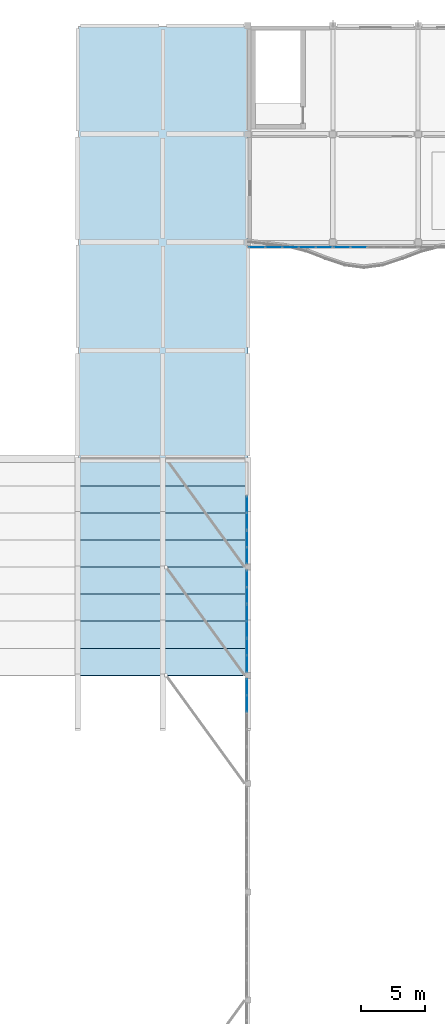
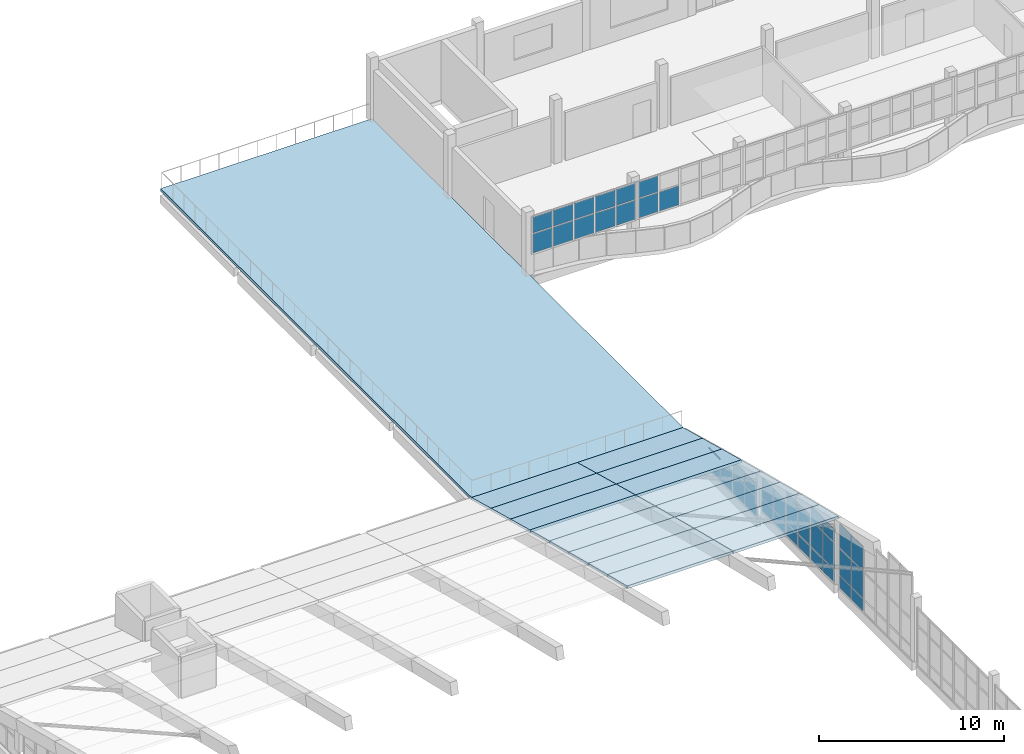
# One storey, part 45 of 78: 43 plates, 17 slabs, 8 elements without a shape of their own.
"""IFC4 building model written with IfcOpenShell, lengths in metres."""

from ifc_helpers import new_model, si_unit, direction, frame, origin, origin_2d, place, context, subcontext, project, spatial, polyline, rectangle, outline, extrude, material, layer, layer_set, type_object, element, aggregate, save


model = new_model("IFC4")

# Units and contexts
model_context = context("Model", 3, precision=1e-05, world=origin(), true_north=direction((0.0, 1.0)))
body_context = subcontext(model_context, "Body", "Model", "MODEL_VIEW")
ifc_project = project(units=[si_unit("LENGTHUNIT", "METRE"), si_unit("AREAUNIT", "SQUARE_METRE"), si_unit("VOLUMEUNIT", "CUBIC_METRE"), si_unit("PLANEANGLEUNIT", "RADIAN"), si_unit("MASSUNIT", "GRAM", prefix="KILO")], contexts=[model_context])

# Site, building, storey
site_placement = place(None, origin())
site = spatial("IfcSite", under=ifc_project, at=site_placement, CompositionType="ELEMENT")
building_placement = place(site_placement, origin())
building = spatial("IfcBuilding", under=site, at=building_placement, Name="Qaldarim Faculty of Natural and Applied Sciences", CompositionType="ELEMENT")
storey_placement = place(building_placement, frame((0.0, 0.0, 18.60009765625)))
storey = spatial("IfcBuildingStorey", under=building, at=storey_placement, Name="L04", CompositionType="ELEMENT", Elevation=18.60009765625)

# Curtain wall, plates
ifc_material_1 = material(Name="Anodised aluminium AW-6063", Category="aluminium")
curtain_wall_type_1 = type_object("IfcCurtainWallType", Name="CurtainWallSystem-M1500", PredefinedType="USERDEFINED", material=ifc_material_1)
curtain_wall_1_placement = place(storey_placement, origin())
curtain_wall_1 = element("IfcCurtainWall", 1, at=curtain_wall_1_placement, inside=storey, type_object=curtain_wall_type_1, Name="Curtain wall CW-GABLE-L04-E-Y10-1", ObjectType="STICK CURTAIN WALL", PredefinedType="USERDEFINED")
ifc_material_2 = material(Name="Champagne anodised aluminium AW-6063", Category="aluminium")
ifc_layer_1 = layer(ifc_material_2, 0.0400390625)
ifc_layer_set_1 = layer_set([ifc_layer_1], Name="Champagne anodised aluminium AW-6063")
plate_type_1 = type_object("IfcPlateType", Name="InsulatedSpandrelPanel-40", PredefinedType="CURTAIN_PANEL", material=ifc_layer_set_1)
plate_1_placement = place(storey_placement, frame((46.1201171875, 76.503662109375, -0.919921875), z_axis=(0.0, 0.0, 1.0), x_axis=(0.0, 1.0, 0.0)))
plate_1 = element("IfcPlate", 2, at=plate_1_placement, type_object=plate_type_1, Name="Glazed panel 1-1 of CW-GABLE-L04-E-Y10-1", PredefinedType="CURTAIN_PANEL", context=body_context, shape_type="SweptSolid", body=[
    extrude(rectangle(XDim=1.2275390625, YDim=0.0400390625, at=origin_2d()), origin(), (0.0, 0.0, 1.0), 1.260009765625),
])
plate_2_placement = place(storey_placement, frame((46.1201171875, 76.503662109375, 0.39990234375), z_axis=(0.0, 0.0, 1.0), x_axis=(0.0, 1.0, 0.0)))
plate_2 = element("IfcPlate", 3, at=plate_2_placement, type_object=plate_type_1, Name="Glazed panel 1-2 of CW-GABLE-L04-E-Y10-1", PredefinedType="CURTAIN_PANEL", context=body_context, shape_type="SweptSolid", body=[
    extrude(rectangle(XDim=1.2275390625, YDim=0.0400390625, at=origin_2d()), origin(), (0.0, 0.0, 1.0), 0.804931640625),
])
plate_3_placement = place(storey_placement, frame((46.1201171875, 77.791259765625, -0.919921875), z_axis=(0.0, 0.0, 1.0), x_axis=(0.0, 1.0, 0.0)))
plate_3 = element("IfcPlate", 4, at=plate_3_placement, type_object=plate_type_1, Name="Glazed panel 2-1 of CW-GABLE-L04-E-Y10-1", PredefinedType="CURTAIN_PANEL", context=body_context, shape_type="SweptSolid", body=[
    extrude(rectangle(XDim=1.2275390625, YDim=0.0400390625, at=origin_2d()), origin(), (0.0, 0.0, 1.0), 1.260009765625),
])
plate_4_placement = place(storey_placement, frame((46.1201171875, 77.791259765625, 0.39990234375), z_axis=(0.0, 0.0, 1.0), x_axis=(0.0, 1.0, 0.0)))
plate_4 = element("IfcPlate", 5, at=plate_4_placement, type_object=plate_type_1, Name="Glazed panel 2-2 of CW-GABLE-L04-E-Y10-1", PredefinedType="CURTAIN_PANEL", context=body_context, shape_type="SweptSolid", body=[
    extrude(rectangle(XDim=1.2275390625, YDim=0.0400390625, at=origin_2d()), origin(), (0.0, 0.0, 1.0), 0.804931640625),
])
aggregate(curtain_wall_1, [plate_1, plate_2, plate_3, plate_4])

curtain_wall_2_placement = place(storey_placement, origin())
curtain_wall_2 = element("IfcCurtainWall", 6, at=curtain_wall_2_placement, inside=storey, type_object=curtain_wall_type_1, Name="Curtain wall CW-GABLE-L04-E-Y10-2", ObjectType="STICK CURTAIN WALL", PredefinedType="USERDEFINED")
plate_5_placement = place(storey_placement, frame((46.1201171875, 79.15869140625, -0.919921875), z_axis=(0.0, 0.0, 1.0), x_axis=(0.0, 1.0, 0.0)))
plate_5 = element("IfcPlate", 7, at=plate_5_placement, type_object=plate_type_1, Name="Glazed panel 1-1 of CW-GABLE-L04-E-Y10-2", PredefinedType="CURTAIN_PANEL", context=body_context, shape_type="SweptSolid", body=[
    extrude(rectangle(XDim=1.2275390625, YDim=0.0400390625, at=origin_2d()), origin(), (0.0, 0.0, 1.0), 1.260009765625),
])
plate_6_placement = place(storey_placement, frame((46.1201171875, 79.15869140625, 0.39990234375), z_axis=(0.0, 0.0, 1.0), x_axis=(0.0, 1.0, 0.0)))
plate_6 = element("IfcPlate", 8, at=plate_6_placement, type_object=plate_type_1, Name="Glazed panel 1-2 of CW-GABLE-L04-E-Y10-2", PredefinedType="CURTAIN_PANEL", context=body_context, shape_type="SweptSolid", body=[
    extrude(rectangle(XDim=1.2275390625, YDim=0.0400390625, at=origin_2d()), origin(), (0.0, 0.0, 1.0), 0.114990234375),
])
plate_7_placement = place(storey_placement, frame((46.1201171875, 80.4462890625, -0.919921875), z_axis=(0.0, 0.0, 1.0), x_axis=(0.0, 1.0, 0.0)))
plate_7 = element("IfcPlate", 9, at=plate_7_placement, type_object=plate_type_1, Name="Glazed panel 2-1 of CW-GABLE-L04-E-Y10-2", PredefinedType="CURTAIN_PANEL", context=body_context, shape_type="SweptSolid", body=[
    extrude(rectangle(XDim=1.2275390625, YDim=0.0400390625, at=origin_2d()), origin(), (0.0, 0.0, 1.0), 1.260009765625),
])
plate_8_placement = place(storey_placement, frame((46.1201171875, 80.4462890625, 0.39990234375), z_axis=(0.0, 0.0, 1.0), x_axis=(0.0, 1.0, 0.0)))
plate_8 = element("IfcPlate", 10, at=plate_8_placement, type_object=plate_type_1, Name="Glazed panel 2-2 of CW-GABLE-L04-E-Y10-2", PredefinedType="CURTAIN_PANEL", context=body_context, shape_type="SweptSolid", body=[
    extrude(rectangle(XDim=1.2275390625, YDim=0.0400390625, at=origin_2d()), origin(), (0.0, 0.0, 1.0), 0.114990234375),
])
aggregate(curtain_wall_2, [plate_5, plate_6, plate_7, plate_8])

# Slabs
ifc_material_3 = material(Name="Concrete C40/50", Category="concrete")
ifc_layer_2 = layer(ifc_material_3, 0.159912109375)
ifc_layer_set_2 = layer_set([ifc_layer_2], Name="Concrete C40/50")
slab_type_1 = type_object("IfcSlabType", Name="PointedArchShellStrip-160", PredefinedType="ROOF", material=ifc_layer_set_2)
slab_1_placement = place(storey_placement, frame((33.0, 67.161865234375, 4.184326171875), z_axis=(0.0, 0.238123063783, 0.971234990357), x_axis=(1.0, 0.0, 0.0)))
element("IfcSlab", 11, at=slab_1_placement, inside=storey, type_object=slab_type_1, Name="Pointed-arch shell strip B06-N09", PredefinedType="ROOF", context=body_context, shape_type="SweptSolid", body=[
    extrude(outline(polyline([(0.0, 0.0), (6.60009765625, 0.0), (6.60009765625, 2.162296125139883), (0.0, 2.162296125139883), (0.0, 0.0)])), origin(), (0.0, 0.0, 1.0), 0.159912109375),
])
slab_2_placement = place(storey_placement, frame((33.0, 69.26123046875, 3.669677734375), z_axis=(0.0, 0.242615241987, 0.970122592436), x_axis=(1.0, 0.0, 0.0)))
element("IfcSlab", 12, at=slab_2_placement, inside=storey, type_object=slab_type_1, Name="Pointed-arch shell strip B06-N10", PredefinedType="ROOF", context=body_context, shape_type="SweptSolid", body=[
    extrude(outline(polyline([(0.0, 0.0), (6.60009765625, 0.0), (6.60009765625, 2.1645238777001503), (0.0, 2.1645238777001503), (0.0, 0.0)])), origin(), (0.0, 0.0, 1.0), 0.159912109375),
])
slab_3_placement = place(storey_placement, frame((33.0, 71.3603515625, 3.144775390625), z_axis=(0.0, 0.246827397745, 0.969059459333), x_axis=(1.0, 0.0, 0.0)))
element("IfcSlab", 13, at=slab_3_placement, inside=storey, type_object=slab_type_1, Name="Pointed-arch shell strip B06-N11", PredefinedType="ROOF", context=body_context, shape_type="SweptSolid", body=[
    extrude(outline(polyline([(0.0, 0.0), (6.60009765625, 0.0), (6.60009765625, 2.167150463291083), (0.0, 2.167150463291083), (0.0, 0.0)])), origin(), (0.0, 0.0, 1.0), 0.159912109375),
])
slab_4_placement = place(storey_placement, frame((33.0, 73.460205078125, 2.60986328125), z_axis=(0.0, 0.249047074443, 0.968491380814), x_axis=(1.0, 0.0, 0.0)))
element("IfcSlab", 14, at=slab_4_placement, inside=storey, type_object=slab_type_1, Name="Pointed-arch shell strip B06-N12", PredefinedType="ROOF", context=body_context, shape_type="SweptSolid", body=[
    extrude(outline(polyline([(0.0, 0.0), (6.60009765625, 0.0), (6.60009765625, 2.168421627546779), (0.0, 2.168421627546779), (0.0, 0.0)])), origin(), (0.0, 0.0, 1.0), 0.159912109375),
])
slab_5_placement = place(storey_placement, frame((33.0, 75.559814453125, 2.070068359375), z_axis=(0.0, 0.251184769049, 0.967939157074), x_axis=(1.0, 0.0, 0.0)))
element("IfcSlab", 15, at=slab_5_placement, inside=storey, type_object=slab_type_1, Name="Pointed-arch shell strip B06-N13", PredefinedType="ROOF", context=body_context, shape_type="SweptSolid", body=[
    extrude(outline(polyline([(0.0, 0.0), (6.60009765625, 0.0), (6.60009765625, 2.169406517215293), (0.0, 2.169406517215293), (0.0, 0.0)])), origin(), (0.0, 0.0, 1.0), 0.159912109375),
])
slab_6_placement = place(storey_placement, frame((33.0, 77.6591796875, 1.525146484375), z_axis=(0.0, 0.255472397462, 0.966816349745), x_axis=(1.0, 0.0, 0.0)))
element("IfcSlab", 16, at=slab_6_placement, inside=storey, type_object=slab_type_1, Name="Pointed-arch shell strip B06-N14", PredefinedType="ROOF", context=body_context, shape_type="SweptSolid", body=[
    extrude(outline(polyline([(0.0, 0.0), (6.60009765625, 0.0), (6.60009765625, 2.1721784667824826), (0.0, 2.1721784667824826), (0.0, 0.0)])), origin(), (0.0, 0.0, 1.0), 0.159912109375),
])
slab_7_placement = place(storey_placement, frame((33.0, 79.7587890625, 0.970458984375), z_axis=(0.0, 0.257704602468, 0.96622375145), x_axis=(1.0, 0.0, 0.0)))
element("IfcSlab", 17, at=slab_7_placement, inside=storey, type_object=slab_type_1, Name="Pointed-arch shell strip B06-N15", PredefinedType="ROOF", context=body_context, shape_type="SweptSolid", body=[
    extrude(outline(polyline([(0.0, 0.0), (6.60009765625, 0.0), (6.60009765625, 2.1732580186245487), (0.0, 2.1732580186245487), (0.0, 0.0)])), origin(), (0.0, 0.0, 1.0), 0.159912109375),
])
slab_8_placement = place(storey_placement, frame((33.0, 81.8583984375, 0.410400390625), z_axis=(0.0, 0.259772172044, 0.96566993255), x_axis=(1.0, 0.0, 0.0)))
element("IfcSlab", 18, at=slab_8_placement, inside=storey, type_object=slab_type_1, Name="Pointed-arch shell strip B06-N16", PredefinedType="ROOF", context=body_context, shape_type="SweptSolid", body=[
    extrude(outline(polyline([(0.0, 0.0), (6.60009765625, 0.0), (6.60009765625, 2.1747572182389625), (0.0, 2.1747572182389625), (0.0, 0.0)])), origin(), (0.0, 0.0, 1.0), 0.159912109375),
])
slab_9_placement = place(storey_placement, frame((39.60009765625, 67.161865234375, 4.184326171875), z_axis=(0.0, 0.238123063783, 0.971234990357), x_axis=(1.0, 0.0, 0.0)))
element("IfcSlab", 19, at=slab_9_placement, inside=storey, type_object=slab_type_1, Name="Pointed-arch shell strip B07-N09", PredefinedType="ROOF", context=body_context, shape_type="SweptSolid", body=[
    extrude(outline(polyline([(0.0, 0.0), (6.599853515625, 0.0), (6.599853515625, 2.162296125139883), (0.0, 2.162296125139883), (0.0, 0.0)])), origin(), (0.0, 0.0, 1.0), 0.159912109375),
])
slab_10_placement = place(storey_placement, frame((39.60009765625, 69.26123046875, 3.669677734375), z_axis=(0.0, 0.242615241987, 0.970122592436), x_axis=(1.0, 0.0, 0.0)))
element("IfcSlab", 20, at=slab_10_placement, inside=storey, type_object=slab_type_1, Name="Pointed-arch shell strip B07-N10", PredefinedType="ROOF", context=body_context, shape_type="SweptSolid", body=[
    extrude(outline(polyline([(0.0, 0.0), (6.599853515625, 0.0), (6.599853515625, 2.1645238777001503), (0.0, 2.1645238777001503), (0.0, 0.0)])), origin(), (0.0, 0.0, 1.0), 0.159912109375),
])
slab_11_placement = place(storey_placement, frame((39.60009765625, 71.3603515625, 3.144775390625), z_axis=(0.0, 0.246827397745, 0.969059459333), x_axis=(1.0, 0.0, 0.0)))
element("IfcSlab", 21, at=slab_11_placement, inside=storey, type_object=slab_type_1, Name="Pointed-arch shell strip B07-N11", PredefinedType="ROOF", context=body_context, shape_type="SweptSolid", body=[
    extrude(outline(polyline([(0.0, 0.0), (6.599853515625, 0.0), (6.599853515625, 2.167150463291083), (0.0, 2.167150463291083), (0.0, 0.0)])), origin(), (0.0, 0.0, 1.0), 0.159912109375),
])
slab_12_placement = place(storey_placement, frame((39.60009765625, 73.460205078125, 2.60986328125), z_axis=(0.0, 0.249047074443, 0.968491380814), x_axis=(1.0, 0.0, 0.0)))
element("IfcSlab", 22, at=slab_12_placement, inside=storey, type_object=slab_type_1, Name="Pointed-arch shell strip B07-N12", PredefinedType="ROOF", context=body_context, shape_type="SweptSolid", body=[
    extrude(outline(polyline([(0.0, 0.0), (6.599853515625, 0.0), (6.599853515625, 2.168421627546779), (0.0, 2.168421627546779), (0.0, 0.0)])), origin(), (0.0, 0.0, 1.0), 0.159912109375),
])
slab_13_placement = place(storey_placement, frame((39.60009765625, 75.559814453125, 2.070068359375), z_axis=(0.0, 0.251184769049, 0.967939157074), x_axis=(1.0, 0.0, 0.0)))
element("IfcSlab", 23, at=slab_13_placement, inside=storey, type_object=slab_type_1, Name="Pointed-arch shell strip B07-N13", PredefinedType="ROOF", context=body_context, shape_type="SweptSolid", body=[
    extrude(outline(polyline([(0.0, 0.0), (6.599853515625, 0.0), (6.599853515625, 2.169406517215293), (0.0, 2.169406517215293), (0.0, 0.0)])), origin(), (0.0, 0.0, 1.0), 0.159912109375),
])
slab_14_placement = place(storey_placement, frame((39.60009765625, 77.6591796875, 1.525146484375), z_axis=(0.0, 0.255472397462, 0.966816349745), x_axis=(1.0, 0.0, 0.0)))
element("IfcSlab", 24, at=slab_14_placement, inside=storey, type_object=slab_type_1, Name="Pointed-arch shell strip B07-N14", PredefinedType="ROOF", context=body_context, shape_type="SweptSolid", body=[
    extrude(outline(polyline([(0.0, 0.0), (6.599853515625, 0.0), (6.599853515625, 2.1721784667824826), (0.0, 2.1721784667824826), (0.0, 0.0)])), origin(), (0.0, 0.0, 1.0), 0.159912109375),
])
slab_15_placement = place(storey_placement, frame((39.60009765625, 79.7587890625, 0.970458984375), z_axis=(0.0, 0.257704602468, 0.96622375145), x_axis=(1.0, 0.0, 0.0)))
element("IfcSlab", 25, at=slab_15_placement, inside=storey, type_object=slab_type_1, Name="Pointed-arch shell strip B07-N15", PredefinedType="ROOF", context=body_context, shape_type="SweptSolid", body=[
    extrude(outline(polyline([(0.0, 0.0), (6.599853515625, 0.0), (6.599853515625, 2.1732580186245487), (0.0, 2.1732580186245487), (0.0, 0.0)])), origin(), (0.0, 0.0, 1.0), 0.159912109375),
])
slab_16_placement = place(storey_placement, frame((39.60009765625, 81.8583984375, 0.410400390625), z_axis=(0.0, 0.259772172044, 0.96566993255), x_axis=(1.0, 0.0, 0.0)))
element("IfcSlab", 26, at=slab_16_placement, inside=storey, type_object=slab_type_1, Name="Pointed-arch shell strip B07-N16", PredefinedType="ROOF", context=body_context, shape_type="SweptSolid", body=[
    extrude(outline(polyline([(0.0, 0.0), (6.599853515625, 0.0), (6.599853515625, 2.1747572182389625), (0.0, 2.1747572182389625), (0.0, 0.0)])), origin(), (0.0, 0.0, 1.0), 0.159912109375),
])
ifc_layer_3 = layer(ifc_material_3, 0.179931640625)
ifc_layer_set_3 = layer_set([ifc_layer_3], Name="Concrete C40/50")
slab_type_2 = type_object("IfcSlabType", Name="TerraceBalconySlab-180", PredefinedType="FLOOR", material=ifc_layer_set_3)
slab_17_placement = place(storey_placement, frame((0.0, 0.0, -0.18017578125)))
element("IfcSlab", 27, at=slab_17_placement, inside=storey, type_object=slab_type_2, Name="Academic outdoor terrace L04 V4-WEST-TERRACE", PredefinedType="FLOOR", context=body_context, shape_type="SweptSolid", body=[
    extrude(outline(polyline([(33.0, 84.0), (46.199951171875, 84.0), (46.199951171875, 117.60009765625), (33.0, 117.60009765625), (33.0, 84.0)])), origin(), (0.0, 0.0, 1.0), 0.18017578125),
])

# Curtain wall, plates
curtain_wall_type_2 = type_object("IfcCurtainWallType", Name="CurtainWallSystem-M1400", PredefinedType="USERDEFINED", material=ifc_material_1)
curtain_wall_3_placement = place(storey_placement, origin())
curtain_wall_3 = element("IfcCurtainWall", 28, at=curtain_wall_3_placement, inside=storey, type_object=curtain_wall_type_2, Name="Curtain wall CW-V4RIB-L04-X08", ObjectType="STICK CURTAIN WALL", PredefinedType="USERDEFINED")
ifc_material_4 = material(Name="Insulated low-e double glazing", Category="glass")
ifc_layer_4 = layer(ifc_material_4, 0.028076171875)
ifc_layer_set_4 = layer_set([ifc_layer_4], Name="Insulated low-e double glazing")
plate_type_2 = type_object("IfcPlateType", Name="VisionGlazingPanel-28", PredefinedType="CURTAIN_PANEL", material=ifc_layer_set_4)
plate_9_placement = place(storey_placement, frame((46.906982421875, 100.419921875, 1.509765625), z_axis=(0.0, 0.0, 1.0), x_axis=(1.0, 0.0, 0.0)))
plate_9 = element("IfcPlate", 29, at=plate_9_placement, type_object=plate_type_2, Name="Glazed panel 1-1 of CW-V4RIB-L04-X08", PredefinedType="CURTAIN_PANEL", context=body_context, shape_type="SweptSolid", body=[
    extrude(rectangle(XDim=1.214111328125, YDim=0.028076171875, at=origin_2d()), origin(), (0.0, 0.0, 1.0), 1.260009765625),
])
plate_10_placement = place(storey_placement, frame((46.906982421875, 100.419921875, 2.830078125), z_axis=(0.0, 0.0, 1.0), x_axis=(1.0, 0.0, 0.0)))
plate_10 = element("IfcPlate", 30, at=plate_10_placement, type_object=plate_type_2, Name="Glazed panel 1-2 of CW-V4RIB-L04-X08", PredefinedType="CURTAIN_PANEL", context=body_context, shape_type="SweptSolid", body=[
    extrude(rectangle(XDim=1.214111328125, YDim=0.028076171875, at=origin_2d()), origin(), (0.0, 0.0, 1.0), 1.050048828125),
])
plate_11_placement = place(storey_placement, frame((48.196044921875, 100.419921875, 1.509765625), z_axis=(0.0, 0.0, 1.0), x_axis=(1.0, 0.0, 0.0)))
plate_11 = element("IfcPlate", 31, at=plate_11_placement, type_object=plate_type_2, Name="Glazed panel 2-1 of CW-V4RIB-L04-X08", PredefinedType="CURTAIN_PANEL", context=body_context, shape_type="SweptSolid", body=[
    extrude(rectangle(XDim=1.243896484375, YDim=0.028076171875, at=origin_2d()), origin(), (0.0, 0.0, 1.0), 1.260009765625),
])
plate_12_placement = place(storey_placement, frame((48.196044921875, 100.419921875, 2.830078125), z_axis=(0.0, 0.0, 1.0), x_axis=(1.0, 0.0, 0.0)))
plate_12 = element("IfcPlate", 32, at=plate_12_placement, type_object=plate_type_2, Name="Glazed panel 2-2 of CW-V4RIB-L04-X08", PredefinedType="CURTAIN_PANEL", context=body_context, shape_type="SweptSolid", body=[
    extrude(rectangle(XDim=1.243896484375, YDim=0.028076171875, at=origin_2d()), origin(), (0.0, 0.0, 1.0), 1.050048828125),
])
plate_13_placement = place(storey_placement, frame((49.5, 100.419921875, 1.509765625), z_axis=(0.0, 0.0, 1.0), x_axis=(1.0, 0.0, 0.0)))
plate_13 = element("IfcPlate", 33, at=plate_13_placement, type_object=plate_type_2, Name="Glazed panel 3-1 of CW-V4RIB-L04-X08", PredefinedType="CURTAIN_PANEL", context=body_context, shape_type="SweptSolid", body=[
    extrude(rectangle(XDim=1.243896484375, YDim=0.028076171875, at=origin_2d()), origin(), (0.0, 0.0, 1.0), 1.260009765625),
])
plate_14_placement = place(storey_placement, frame((49.5, 100.419921875, 2.830078125), z_axis=(0.0, 0.0, 1.0), x_axis=(1.0, 0.0, 0.0)))
plate_14 = element("IfcPlate", 34, at=plate_14_placement, type_object=plate_type_2, Name="Glazed panel 3-2 of CW-V4RIB-L04-X08", PredefinedType="CURTAIN_PANEL", context=body_context, shape_type="SweptSolid", body=[
    extrude(rectangle(XDim=1.243896484375, YDim=0.028076171875, at=origin_2d()), origin(), (0.0, 0.0, 1.0), 1.050048828125),
])
plate_15_placement = place(storey_placement, frame((50.803955078125, 100.419921875, 1.509765625), z_axis=(0.0, 0.0, 1.0), x_axis=(1.0, 0.0, 0.0)))
plate_15 = element("IfcPlate", 35, at=plate_15_placement, type_object=plate_type_2, Name="Glazed panel 4-1 of CW-V4RIB-L04-X08", PredefinedType="CURTAIN_PANEL", context=body_context, shape_type="SweptSolid", body=[
    extrude(rectangle(XDim=1.243896484375, YDim=0.028076171875, at=origin_2d()), origin(), (0.0, 0.0, 1.0), 1.260009765625),
])
plate_16_placement = place(storey_placement, frame((50.803955078125, 100.419921875, 2.830078125), z_axis=(0.0, 0.0, 1.0), x_axis=(1.0, 0.0, 0.0)))
plate_16 = element("IfcPlate", 36, at=plate_16_placement, type_object=plate_type_2, Name="Glazed panel 4-2 of CW-V4RIB-L04-X08", PredefinedType="CURTAIN_PANEL", context=body_context, shape_type="SweptSolid", body=[
    extrude(rectangle(XDim=1.243896484375, YDim=0.028076171875, at=origin_2d()), origin(), (0.0, 0.0, 1.0), 1.050048828125),
])
plate_17_placement = place(storey_placement, frame((52.093017578125, 100.419921875, 1.509765625), z_axis=(0.0, 0.0, 1.0), x_axis=(1.0, 0.0, 0.0)))
plate_17 = element("IfcPlate", 37, at=plate_17_placement, type_object=plate_type_2, Name="Glazed panel 5-1 of CW-V4RIB-L04-X08", PredefinedType="CURTAIN_PANEL", context=body_context, shape_type="SweptSolid", body=[
    extrude(rectangle(XDim=1.214111328125, YDim=0.028076171875, at=origin_2d()), origin(), (0.0, 0.0, 1.0), 1.260009765625),
])
plate_18_placement = place(storey_placement, frame((52.093017578125, 100.419921875, 2.830078125), z_axis=(0.0, 0.0, 1.0), x_axis=(1.0, 0.0, 0.0)))
plate_18 = element("IfcPlate", 38, at=plate_18_placement, type_object=plate_type_2, Name="Glazed panel 5-2 of CW-V4RIB-L04-X08", PredefinedType="CURTAIN_PANEL", context=body_context, shape_type="SweptSolid", body=[
    extrude(rectangle(XDim=1.214111328125, YDim=0.028076171875, at=origin_2d()), origin(), (0.0, 0.0, 1.0), 1.050048828125),
])
aggregate(curtain_wall_3, [plate_9, plate_10, plate_11, plate_12, plate_13, plate_14, plate_15, plate_16, plate_17, plate_18])

curtain_wall_4_placement = place(storey_placement, origin())
curtain_wall_4 = element("IfcCurtainWall", 39, at=curtain_wall_4_placement, inside=storey, type_object=curtain_wall_type_2, Name="Curtain wall CW-V4RIB-L04-X09", ObjectType="STICK CURTAIN WALL", PredefinedType="USERDEFINED")
plate_19_placement = place(storey_placement, frame((53.507080078125, 100.419921875, 1.509765625), z_axis=(0.0, 0.0, 1.0), x_axis=(1.0, 0.0, 0.0)))
plate_19 = element("IfcPlate", 40, at=plate_19_placement, type_object=plate_type_2, Name="Glazed panel 1-1 of CW-V4RIB-L04-X09", PredefinedType="CURTAIN_PANEL", context=body_context, shape_type="SweptSolid", body=[
    extrude(rectangle(XDim=1.214111328125, YDim=0.028076171875, at=origin_2d()), origin(), (0.0, 0.0, 1.0), 1.260009765625),
])
plate_20_placement = place(storey_placement, frame((53.507080078125, 100.419921875, 2.830078125), z_axis=(0.0, 0.0, 1.0), x_axis=(1.0, 0.0, 0.0)))
plate_20 = element("IfcPlate", 41, at=plate_20_placement, type_object=plate_type_2, Name="Glazed panel 1-2 of CW-V4RIB-L04-X09", PredefinedType="CURTAIN_PANEL", context=body_context, shape_type="SweptSolid", body=[
    extrude(rectangle(XDim=1.214111328125, YDim=0.028076171875, at=origin_2d()), origin(), (0.0, 0.0, 1.0), 1.050048828125),
])
plate_21_placement = place(storey_placement, frame((54.7958984375, 100.419921875, 1.509765625), z_axis=(0.0, 0.0, 1.0), x_axis=(1.0, 0.0, 0.0)))
plate_21 = element("IfcPlate", 42, at=plate_21_placement, type_object=plate_type_2, Name="Glazed panel 2-1 of CW-V4RIB-L04-X09", PredefinedType="CURTAIN_PANEL", context=body_context, shape_type="SweptSolid", body=[
    extrude(rectangle(XDim=1.243896484375, YDim=0.028076171875, at=origin_2d()), origin(), (0.0, 0.0, 1.0), 1.260009765625),
])
aggregate(curtain_wall_4, [plate_19, plate_20, plate_21])

curtain_wall_type_3 = type_object("IfcCurtainWallType", Name="CurtainWallSystem-M1300", PredefinedType="USERDEFINED", material=ifc_material_1)
curtain_wall_5_placement = place(storey_placement, origin())
curtain_wall_5 = element("IfcCurtainWall", 43, at=curtain_wall_5_placement, inside=storey, type_object=curtain_wall_type_3, Name="Curtain wall CW-GABLE-L04-E-Y08-3", ObjectType="STICK CURTAIN WALL", PredefinedType="USERDEFINED")
plate_22_placement = place(storey_placement, frame((46.1201171875, 65.0087890625, -0.2001953125), z_axis=(0.0, 0.0, 1.0), x_axis=(0.0, 1.0, 0.0)))
plate_22 = element("IfcPlate", 44, at=plate_22_placement, type_object=plate_type_2, Name="Glazed panel 1-1 of CW-GABLE-L04-E-Y08-3", PredefinedType="CURTAIN_PANEL", context=body_context, shape_type="SweptSolid", body=[
    extrude(rectangle(XDim=1.2275390625, YDim=0.028076171875, at=origin_2d()), origin(), (0.0, 0.0, 1.0), 0.81005859375),
])
plate_23_placement = place(storey_placement, frame((46.1201171875, 65.0087890625, 0.669921875), z_axis=(0.0, 0.0, 1.0), x_axis=(0.0, 1.0, 0.0)))
plate_23 = element("IfcPlate", 45, at=plate_23_placement, type_object=plate_type_2, Name="Glazed panel 1-2 of CW-GABLE-L04-E-Y08-3", PredefinedType="CURTAIN_PANEL", context=body_context, shape_type="SweptSolid", body=[
    extrude(rectangle(XDim=1.2275390625, YDim=0.028076171875, at=origin_2d()), origin(), (0.0, 0.0, 1.0), 1.739990234375),
])
plate_24_placement = place(storey_placement, frame((46.1201171875, 65.0087890625, 2.4697265625), z_axis=(0.0, 0.0, 1.0), x_axis=(0.0, 1.0, 0.0)))
plate_24 = element("IfcPlate", 46, at=plate_24_placement, type_object=plate_type_2, Name="Glazed panel 1-3 of CW-GABLE-L04-E-Y08-3", PredefinedType="CURTAIN_PANEL", context=body_context, shape_type="SweptSolid", body=[
    extrude(rectangle(XDim=1.2275390625, YDim=0.028076171875, at=origin_2d()), origin(), (0.0, 0.0, 1.0), 1.594970703125),
])
plate_25_placement = place(storey_placement, frame((46.1201171875, 66.29638671875, -0.2001953125), z_axis=(0.0, 0.0, 1.0), x_axis=(0.0, 1.0, 0.0)))
plate_25 = element("IfcPlate", 47, at=plate_25_placement, type_object=plate_type_2, Name="Glazed panel 2-1 of CW-GABLE-L04-E-Y08-3", PredefinedType="CURTAIN_PANEL", context=body_context, shape_type="SweptSolid", body=[
    extrude(rectangle(XDim=1.2275390625, YDim=0.028076171875, at=origin_2d()), origin(), (0.0, 0.0, 1.0), 0.81005859375),
])
plate_26_placement = place(storey_placement, frame((46.1201171875, 66.29638671875, 0.669921875), z_axis=(0.0, 0.0, 1.0), x_axis=(0.0, 1.0, 0.0)))
plate_26 = element("IfcPlate", 48, at=plate_26_placement, type_object=plate_type_2, Name="Glazed panel 2-2 of CW-GABLE-L04-E-Y08-3", PredefinedType="CURTAIN_PANEL", context=body_context, shape_type="SweptSolid", body=[
    extrude(rectangle(XDim=1.2275390625, YDim=0.028076171875, at=origin_2d()), origin(), (0.0, 0.0, 1.0), 1.739990234375),
])
plate_27_placement = place(storey_placement, frame((46.1201171875, 66.29638671875, 2.4697265625), z_axis=(0.0, 0.0, 1.0), x_axis=(0.0, 1.0, 0.0)))
plate_27 = element("IfcPlate", 49, at=plate_27_placement, type_object=plate_type_2, Name="Glazed panel 2-3 of CW-GABLE-L04-E-Y08-3", PredefinedType="CURTAIN_PANEL", context=body_context, shape_type="SweptSolid", body=[
    extrude(rectangle(XDim=1.2275390625, YDim=0.028076171875, at=origin_2d()), origin(), (0.0, 0.0, 1.0), 1.594970703125),
])
aggregate(curtain_wall_5, [plate_22, plate_23, plate_24, plate_25, plate_26, plate_27])

curtain_wall_6_placement = place(storey_placement, origin())
curtain_wall_6 = element("IfcCurtainWall", 50, at=curtain_wall_6_placement, inside=storey, type_object=curtain_wall_type_3, Name="Curtain wall CW-GABLE-L04-E-Y09-1", ObjectType="STICK CURTAIN WALL", PredefinedType="USERDEFINED")
plate_28_placement = place(storey_placement, frame((46.1201171875, 68.103759765625, -0.2001953125), z_axis=(0.0, 0.0, 1.0), x_axis=(0.0, 1.0, 0.0)))
plate_28 = element("IfcPlate", 51, at=plate_28_placement, type_object=plate_type_2, Name="Glazed panel 1-1 of CW-GABLE-L04-E-Y09-1", PredefinedType="CURTAIN_PANEL", context=body_context, shape_type="SweptSolid", body=[
    extrude(rectangle(XDim=1.2275390625, YDim=0.028076171875, at=origin_2d()), origin(), (0.0, 0.0, 1.0), 0.81005859375),
])
plate_29_placement = place(storey_placement, frame((46.1201171875, 68.103759765625, 0.669921875), z_axis=(0.0, 0.0, 1.0), x_axis=(0.0, 1.0, 0.0)))
plate_29 = element("IfcPlate", 52, at=plate_29_placement, type_object=plate_type_2, Name="Glazed panel 1-2 of CW-GABLE-L04-E-Y09-1", PredefinedType="CURTAIN_PANEL", context=body_context, shape_type="SweptSolid", body=[
    extrude(rectangle(XDim=1.2275390625, YDim=0.028076171875, at=origin_2d()), origin(), (0.0, 0.0, 1.0), 1.739990234375),
])
plate_30_placement = place(storey_placement, frame((46.1201171875, 68.103759765625, 2.469970703125), z_axis=(0.0, 0.0, 1.0), x_axis=(0.0, 1.0, 0.0)))
plate_30 = element("IfcPlate", 53, at=plate_30_placement, type_object=plate_type_2, Name="Glazed panel 1-3 of CW-GABLE-L04-E-Y09-1", PredefinedType="CURTAIN_PANEL", context=body_context, shape_type="SweptSolid", body=[
    extrude(rectangle(XDim=1.2275390625, YDim=0.028076171875, at=origin_2d()), origin(), (0.0, 0.0, 1.0), 0.85498046875),
])
plate_31_placement = place(storey_placement, frame((46.1201171875, 69.39111328125, -0.2001953125), z_axis=(0.0, 0.0, 1.0), x_axis=(0.0, 1.0, 0.0)))
plate_31 = element("IfcPlate", 54, at=plate_31_placement, type_object=plate_type_2, Name="Glazed panel 2-1 of CW-GABLE-L04-E-Y09-1", PredefinedType="CURTAIN_PANEL", context=body_context, shape_type="SweptSolid", body=[
    extrude(rectangle(XDim=1.2275390625, YDim=0.028076171875, at=origin_2d()), origin(), (0.0, 0.0, 1.0), 0.81005859375),
])
plate_32_placement = place(storey_placement, frame((46.1201171875, 69.39111328125, 0.669921875), z_axis=(0.0, 0.0, 1.0), x_axis=(0.0, 1.0, 0.0)))
plate_32 = element("IfcPlate", 55, at=plate_32_placement, type_object=plate_type_2, Name="Glazed panel 2-2 of CW-GABLE-L04-E-Y09-1", PredefinedType="CURTAIN_PANEL", context=body_context, shape_type="SweptSolid", body=[
    extrude(rectangle(XDim=1.2275390625, YDim=0.028076171875, at=origin_2d()), origin(), (0.0, 0.0, 1.0), 1.739990234375),
])
plate_33_placement = place(storey_placement, frame((46.1201171875, 69.39111328125, 2.469970703125), z_axis=(0.0, 0.0, 1.0), x_axis=(0.0, 1.0, 0.0)))
plate_33 = element("IfcPlate", 56, at=plate_33_placement, type_object=plate_type_2, Name="Glazed panel 2-3 of CW-GABLE-L04-E-Y09-1", PredefinedType="CURTAIN_PANEL", context=body_context, shape_type="SweptSolid", body=[
    extrude(rectangle(XDim=1.2275390625, YDim=0.028076171875, at=origin_2d()), origin(), (0.0, 0.0, 1.0), 0.85498046875),
])
aggregate(curtain_wall_6, [plate_28, plate_29, plate_30, plate_31, plate_32, plate_33])

curtain_wall_7_placement = place(storey_placement, origin())
curtain_wall_7 = element("IfcCurtainWall", 57, at=curtain_wall_7_placement, inside=storey, type_object=curtain_wall_type_3, Name="Curtain wall CW-GABLE-L04-E-Y09-2", ObjectType="STICK CURTAIN WALL", PredefinedType="USERDEFINED")
plate_34_placement = place(storey_placement, frame((46.1201171875, 70.7587890625, -0.2001953125), z_axis=(0.0, 0.0, 1.0), x_axis=(0.0, 1.0, 0.0)))
plate_34 = element("IfcPlate", 58, at=plate_34_placement, type_object=plate_type_2, Name="Glazed panel 1-1 of CW-GABLE-L04-E-Y09-2", PredefinedType="CURTAIN_PANEL", context=body_context, shape_type="SweptSolid", body=[
    extrude(rectangle(XDim=1.2275390625, YDim=0.028076171875, at=origin_2d()), origin(), (0.0, 0.0, 1.0), 0.81005859375),
])
plate_35_placement = place(storey_placement, frame((46.1201171875, 70.7587890625, 0.669921875), z_axis=(0.0, 0.0, 1.0), x_axis=(0.0, 1.0, 0.0)))
plate_35 = element("IfcPlate", 59, at=plate_35_placement, type_object=plate_type_2, Name="Glazed panel 1-2 of CW-GABLE-L04-E-Y09-2", PredefinedType="CURTAIN_PANEL", context=body_context, shape_type="SweptSolid", body=[
    extrude(rectangle(XDim=1.2275390625, YDim=0.028076171875, at=origin_2d()), origin(), (0.0, 0.0, 1.0), 1.739990234375),
])
plate_36_placement = place(storey_placement, frame((46.1201171875, 70.7587890625, 2.4697265625), z_axis=(0.0, 0.0, 1.0), x_axis=(0.0, 1.0, 0.0)))
plate_36 = element("IfcPlate", 60, at=plate_36_placement, type_object=plate_type_2, Name="Glazed panel 1-3 of CW-GABLE-L04-E-Y09-2", PredefinedType="CURTAIN_PANEL", context=body_context, shape_type="SweptSolid", body=[
    extrude(rectangle(XDim=1.2275390625, YDim=0.028076171875, at=origin_2d()), origin(), (0.0, 0.0, 1.0), 0.199951171875),
])
plate_37_placement = place(storey_placement, frame((46.1201171875, 72.04638671875, -0.2001953125), z_axis=(0.0, 0.0, 1.0), x_axis=(0.0, 1.0, 0.0)))
plate_37 = element("IfcPlate", 61, at=plate_37_placement, type_object=plate_type_2, Name="Glazed panel 2-1 of CW-GABLE-L04-E-Y09-2", PredefinedType="CURTAIN_PANEL", context=body_context, shape_type="SweptSolid", body=[
    extrude(rectangle(XDim=1.2275390625, YDim=0.028076171875, at=origin_2d()), origin(), (0.0, 0.0, 1.0), 0.81005859375),
])
plate_38_placement = place(storey_placement, frame((46.1201171875, 72.04638671875, 0.669921875), z_axis=(0.0, 0.0, 1.0), x_axis=(0.0, 1.0, 0.0)))
plate_38 = element("IfcPlate", 62, at=plate_38_placement, type_object=plate_type_2, Name="Glazed panel 2-2 of CW-GABLE-L04-E-Y09-2", PredefinedType="CURTAIN_PANEL", context=body_context, shape_type="SweptSolid", body=[
    extrude(rectangle(XDim=1.2275390625, YDim=0.028076171875, at=origin_2d()), origin(), (0.0, 0.0, 1.0), 1.739990234375),
])
plate_39_placement = place(storey_placement, frame((46.1201171875, 72.04638671875, 2.4697265625), z_axis=(0.0, 0.0, 1.0), x_axis=(0.0, 1.0, 0.0)))
plate_39 = element("IfcPlate", 63, at=plate_39_placement, type_object=plate_type_2, Name="Glazed panel 2-3 of CW-GABLE-L04-E-Y09-2", PredefinedType="CURTAIN_PANEL", context=body_context, shape_type="SweptSolid", body=[
    extrude(rectangle(XDim=1.2275390625, YDim=0.028076171875, at=origin_2d()), origin(), (0.0, 0.0, 1.0), 0.199951171875),
])
aggregate(curtain_wall_7, [plate_34, plate_35, plate_36, plate_37, plate_38, plate_39])

curtain_wall_8_placement = place(storey_placement, origin())
curtain_wall_8 = element("IfcCurtainWall", 64, at=curtain_wall_8_placement, inside=storey, type_object=curtain_wall_type_3, Name="Curtain wall CW-GABLE-L04-E-Y09-3", ObjectType="STICK CURTAIN WALL", PredefinedType="USERDEFINED")
plate_40_placement = place(storey_placement, frame((46.1201171875, 73.40869140625, -0.2001953125), z_axis=(0.0, 0.0, 1.0), x_axis=(0.0, 1.0, 0.0)))
plate_40 = element("IfcPlate", 65, at=plate_40_placement, type_object=plate_type_2, Name="Glazed panel 1-1 of CW-GABLE-L04-E-Y09-3", PredefinedType="CURTAIN_PANEL", context=body_context, shape_type="SweptSolid", body=[
    extrude(rectangle(XDim=1.2275390625, YDim=0.028076171875, at=origin_2d()), origin(), (0.0, 0.0, 1.0), 0.81005859375),
])
plate_41_placement = place(storey_placement, frame((46.1201171875, 73.40869140625, 0.669921875), z_axis=(0.0, 0.0, 1.0), x_axis=(0.0, 1.0, 0.0)))
plate_41 = element("IfcPlate", 66, at=plate_41_placement, type_object=plate_type_2, Name="Glazed panel 1-2 of CW-GABLE-L04-E-Y09-3", PredefinedType="CURTAIN_PANEL", context=body_context, shape_type="SweptSolid", body=[
    extrude(rectangle(XDim=1.2275390625, YDim=0.028076171875, at=origin_2d()), origin(), (0.0, 0.0, 1.0), 1.330078125),
])
plate_42_placement = place(storey_placement, frame((46.1201171875, 74.6962890625, -0.2001953125), z_axis=(0.0, 0.0, 1.0), x_axis=(0.0, 1.0, 0.0)))
plate_42 = element("IfcPlate", 67, at=plate_42_placement, type_object=plate_type_2, Name="Glazed panel 2-1 of CW-GABLE-L04-E-Y09-3", PredefinedType="CURTAIN_PANEL", context=body_context, shape_type="SweptSolid", body=[
    extrude(rectangle(XDim=1.2275390625, YDim=0.028076171875, at=origin_2d()), origin(), (0.0, 0.0, 1.0), 0.81005859375),
])
plate_43_placement = place(storey_placement, frame((46.1201171875, 74.6962890625, 0.669921875), z_axis=(0.0, 0.0, 1.0), x_axis=(0.0, 1.0, 0.0)))
plate_43 = element("IfcPlate", 68, at=plate_43_placement, type_object=plate_type_2, Name="Glazed panel 2-2 of CW-GABLE-L04-E-Y09-3", PredefinedType="CURTAIN_PANEL", context=body_context, shape_type="SweptSolid", body=[
    extrude(rectangle(XDim=1.2275390625, YDim=0.028076171875, at=origin_2d()), origin(), (0.0, 0.0, 1.0), 1.330078125),
])
aggregate(curtain_wall_8, [plate_40, plate_41, plate_42, plate_43])

save(model, "model.ifc")
